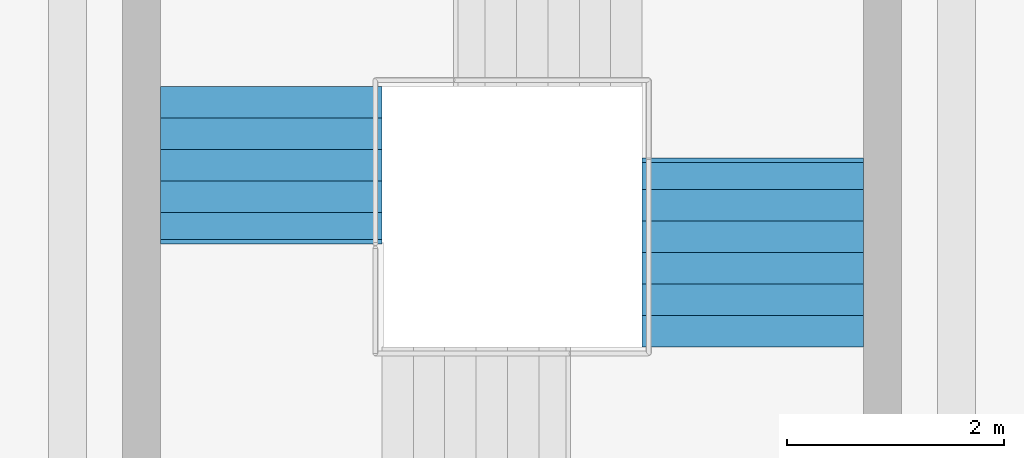
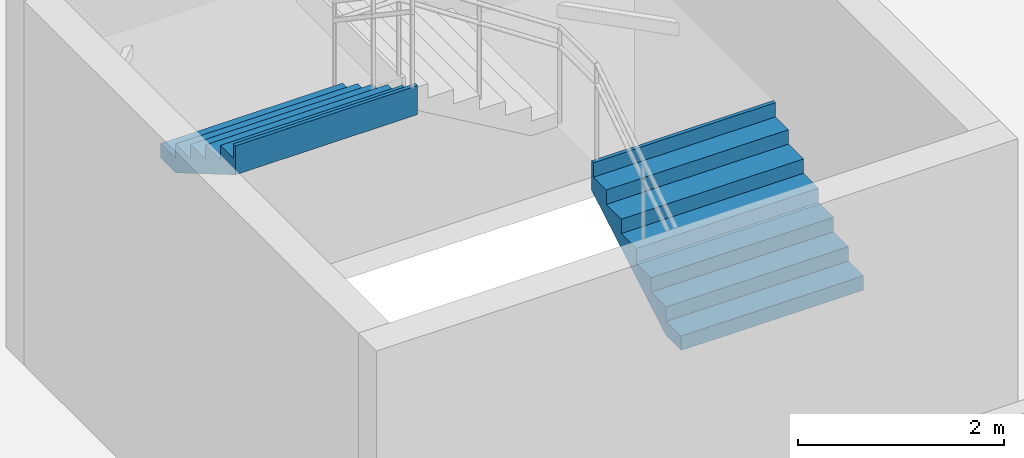
# One storey, part 51 of 55: 2 stair flights, 1 element without a shape of its own.
"""IFC4 building model written with IfcOpenShell, lengths in metres."""

from ifc_helpers import new_model, si_unit, direction, frame, origin, place, context, subcontext, project, spatial, triangles, material, type_object, element, aggregate, save


model = new_model("IFC4")

# Units and contexts
model_context = context("Model", 3, precision=1e-05, world=origin(), true_north=direction((0.0, 1.0)))
body_context = subcontext(model_context, "Body", "Model", "MODEL_VIEW")
ifc_project = project(units=[si_unit("LENGTHUNIT", "METRE"), si_unit("AREAUNIT", "SQUARE_METRE"), si_unit("VOLUMEUNIT", "CUBIC_METRE"), si_unit("PLANEANGLEUNIT", "RADIAN"), si_unit("MASSUNIT", "GRAM", prefix="KILO")], contexts=[model_context])

# Site, building, storey
site_placement = place(None, origin())
site = spatial("IfcSite", under=ifc_project, at=site_placement, CompositionType="ELEMENT")
building_placement = place(site_placement, origin())
building = spatial("IfcBuilding", under=site, at=building_placement, Name="Sillaruma Civic Art Gallery", CompositionType="ELEMENT")
storey_placement = place(building_placement, frame((0.0, 0.0, 37.739990234375)))
storey = spatial("IfcBuildingStorey", under=building, at=storey_placement, Name="L07", CompositionType="ELEMENT", Elevation=37.739990234375)

# Stair, stair flights
ifc_material = material(Name="Concrete H35 (35 MPa)", Category="concrete")
stair_type = type_object("IfcStairType", Name="STR-4F-27", PredefinedType="USERDEFINED", material=ifc_material)
stair_placement = place(storey_placement, origin())
stair = element("IfcStair", 1, at=stair_placement, inside=storey, type_object=stair_type, Name="Protected Exit Stair ST-04 (East Bar) (L07)", ObjectType="THREE_RETURN_STAIR", PredefinedType="USERDEFINED")
stair_flight_type_1 = type_object("IfcStairFlightType", Name="SFL-STR-6", PredefinedType="STRAIGHT", material=ifc_material)
stair_flight_1_placement = place(storey_placement, frame((99.8798828125, 55.64990234375, 3.570068359375), z_axis=(0.0, 0.0, 1.0), x_axis=(0.0, -1.0, 0.0)))
stair_flight_1 = element("IfcStairFlight", 2, at=stair_flight_1_placement, type_object=stair_flight_type_1, Name="ST-04 flight 4", NumberOfRisers=6, NumberOfTreads=5, PredefinedType="STRAIGHT", RiserHeight=0.17, TreadLength=0.29, context=body_context, shape_type="Tessellation", body=[
    triangles([(0.0, -1.02001953125, 0.0), (0.29, -1.02001953125, 0.0), (0.296365, -1.02001953125, 0.0), (0.58, -1.02001953125, 0.166269), (0.87, -1.02001953125, 0.336269), (1.16, -1.02001953125, 0.506269), (1.409951, -1.02001953125, 0.652792), (1.449951, -1.02001953125, 0.67624), (1.449951, -1.02001953125, 1.02), (1.409951, -1.02001953125, 1.02), (1.409951, -1.02001953125, 0.85), (1.16, -1.02001953125, 0.85), (1.16, -1.02001953125, 0.68), (0.87, -1.02001953125, 0.68), (0.87, -1.02001953125, 0.51), (0.58, -1.02001953125, 0.51), (0.58, -1.02001953125, 0.34), (0.296365, -1.02001953125, 0.34), (0.29, -1.02001953125, 0.34), (0.29, -1.02001953125, 0.17), (0.0, -1.02001953125, 0.17), (0.0, -0.05, 0.0), (0.29, -0.05, 0.0), (0.296365, -0.05, 0.0), (0.58, -0.05, 0.166269), (0.87, -0.05, 0.336269), (1.16, -0.05, 0.506269), (1.409951, -0.05, 0.652792), (1.449951, -0.05, 0.67624), (1.449951, -0.05, 1.02), (1.409951, -0.05, 1.02), (1.409951, -0.05, 0.85), (1.16, -0.05, 0.85), (1.16, -0.05, 0.68), (0.87, -0.05, 0.68), (0.87, -0.05, 0.51), (0.58, -0.05, 0.51), (0.58, -0.05, 0.34), (0.296365, -0.05, 0.34), (0.29, -0.05, 0.34), (0.29, -0.05, 0.17), (0.0, -0.05, 0.17), (0.0, -0.0375, 0.0), (0.29, -0.0375, 0.0), (0.296365, -0.0375, 0.0), (0.58, -0.0375, 0.166269), (0.87, -0.0375, 0.336269), (1.16, -0.0375, 0.506269), (1.409951, -0.0375, 0.652792), (1.449951, -0.0375, 0.67624), (1.449951, -0.0375, 1.02), (1.409951, -0.0375, 1.02), (1.409951, -0.0375, 0.85), (1.16, -0.0375, 0.85), (1.16, -0.0375, 0.68), (0.87, -0.0375, 0.68), (0.87, -0.0375, 0.51), (0.58, -0.0375, 0.51), (0.58, -0.0375, 0.34), (0.296365, -0.0375, 0.34), (0.29, -0.0375, 0.34), (0.29, -0.0375, 0.17), (0.0, -0.0375, 0.17), (0.0, -0.025, 0.0), (0.29, -0.025, 0.0), (0.296365, -0.025, 0.0), (0.58, -0.025, 0.166269), (0.87, -0.025, 0.336269), (1.16, -0.025, 0.506269), (1.409951, -0.025, 0.652792), (1.449951, -0.025, 0.67624), (1.449951, -0.025, 1.02), (1.409951, -0.025, 1.02), (1.409951, -0.025, 0.85), (1.16, -0.025, 0.85), (1.16, -0.025, 0.68), (0.87, -0.025, 0.68), (0.87, -0.025, 0.51), (0.58, -0.025, 0.51), (0.58, -0.025, 0.34), (0.296365, -0.025, 0.34), (0.29, -0.025, 0.34), (0.29, -0.025, 0.17), (0.0, -0.025, 0.17), (0.0, -0.0125, 0.0), (0.29, -0.0125, 0.0), (0.296365, -0.0125, 0.0), (0.58, -0.0125, 0.166269), (0.87, -0.0125, 0.336269), (1.16, -0.0125, 0.506269), (1.409951, -0.0125, 0.652792), (1.449951, -0.0125, 0.67624), (1.449951, -0.0125, 1.02), (1.409951, -0.0125, 1.02), (1.409951, -0.0125, 0.85), (1.16, -0.0125, 0.85), (1.16, -0.0125, 0.68), (0.87, -0.0125, 0.68), (0.87, -0.0125, 0.51), (0.58, -0.0125, 0.51), (0.58, -0.0125, 0.34), (0.296365, -0.0125, 0.34), (0.29, -0.0125, 0.34), (0.29, -0.0125, 0.17), (0.0, -0.0125, 0.17), (0.0, 0.0, 0.0), (0.29, 0.0, 0.0), (0.296365, 0.0, 0.0), (0.58, 0.0, 0.166269), (0.87, 0.0, 0.336269), (1.16, 0.0, 0.506269), (1.409951, 0.0, 0.652792), (1.449951, 0.0, 0.67624), (1.449951, 0.0, 1.02), (1.409951, 0.0, 1.02), (1.409951, 0.0, 0.85), (1.16, 0.0, 0.85), (1.16, 0.0, 0.68), (0.87, 0.0, 0.68), (0.87, 0.0, 0.51), (0.58, 0.0, 0.51), (0.58, 0.0, 0.34), (0.296365, 0.0, 0.34), (0.29, 0.0, 0.34), (0.29, 0.0, 0.17), (0.0, 0.0, 0.17), (0.0, 0.0125, 0.0), (0.29, 0.0125, 0.0), (0.296365, 0.0125, 0.0), (0.58, 0.0125, 0.166269), (0.87, 0.0125, 0.336269), (1.16, 0.0125, 0.506269), (1.409951, 0.0125, 0.652792), (1.449951, 0.0125, 0.67624), (1.449951, 0.0125, 1.02), (1.409951, 0.0125, 1.02), (1.409951, 0.0125, 0.85), (1.16, 0.0125, 0.85), (1.16, 0.0125, 0.68), (0.87, 0.0125, 0.68), (0.87, 0.0125, 0.51), (0.58, 0.0125, 0.51), (0.58, 0.0125, 0.34), (0.296365, 0.0125, 0.34), (0.29, 0.0125, 0.34), (0.29, 0.0125, 0.17), (0.0, 0.0125, 0.17), (0.0, 0.025, 0.0), (0.29, 0.025, 0.0), (0.296365, 0.025, 0.0), (0.58, 0.025, 0.166269), (0.87, 0.025, 0.336269), (1.16, 0.025, 0.506269), (1.409951, 0.025, 0.652792), (1.449951, 0.025, 0.67624), (1.449951, 0.025, 1.02), (1.409951, 0.025, 1.02), (1.409951, 0.025, 0.85), (1.16, 0.025, 0.85), (1.16, 0.025, 0.68), (0.87, 0.025, 0.68), (0.87, 0.025, 0.51), (0.58, 0.025, 0.51), (0.58, 0.025, 0.34), (0.296365, 0.025, 0.34), (0.29, 0.025, 0.34), (0.29, 0.025, 0.17), (0.0, 0.025, 0.17), (0.0, 0.0375, 0.0), (0.29, 0.0375, 0.0), (0.296365, 0.0375, 0.0), (0.58, 0.0375, 0.166269), (0.87, 0.0375, 0.336269), (1.16, 0.0375, 0.506269), (1.409951, 0.0375, 0.652792), (1.449951, 0.0375, 0.67624), (1.449951, 0.0375, 1.02), (1.409951, 0.0375, 1.02), (1.409951, 0.0375, 0.85), (1.16, 0.0375, 0.85), (1.16, 0.0375, 0.68), (0.87, 0.0375, 0.68), (0.87, 0.0375, 0.51), (0.58, 0.0375, 0.51), (0.58, 0.0375, 0.34), (0.296365, 0.0375, 0.34), (0.29, 0.0375, 0.34), (0.29, 0.0375, 0.17), (0.0, 0.0375, 0.17), (0.0, 0.05, 0.0), (0.29, 0.05, 0.0), (0.296365, 0.05, 0.0), (0.58, 0.05, 0.166269), (0.87, 0.05, 0.336269), (1.16, 0.05, 0.506269), (1.409951, 0.05, 0.652792), (1.449951, 0.05, 0.67624), (1.449951, 0.05, 1.02), (1.409951, 0.05, 1.02), (1.409951, 0.05, 0.85), (1.16, 0.05, 0.85), (1.16, 0.05, 0.68), (0.87, 0.05, 0.68), (0.87, 0.05, 0.51), (0.58, 0.05, 0.51), (0.58, 0.05, 0.34), (0.296365, 0.05, 0.34), (0.29, 0.05, 0.34), (0.29, 0.05, 0.17), (0.0, 0.05, 0.17), (0.0, 1.02001953125, 0.0), (0.29, 1.02001953125, 0.0), (0.296365, 1.02001953125, 0.0), (0.58, 1.02001953125, 0.166269), (0.87, 1.02001953125, 0.336269), (1.16, 1.02001953125, 0.506269), (1.409951, 1.02001953125, 0.652792), (1.449951, 1.02001953125, 0.67624), (1.449951, 1.02001953125, 1.02), (1.409951, 1.02001953125, 1.02), (1.409951, 1.02001953125, 0.85), (1.16, 1.02001953125, 0.85), (1.16, 1.02001953125, 0.68), (0.87, 1.02001953125, 0.68), (0.87, 1.02001953125, 0.51), (0.58, 1.02001953125, 0.51), (0.58, 1.02001953125, 0.34), (0.296365, 1.02001953125, 0.34), (0.29, 1.02001953125, 0.34), (0.29, 1.02001953125, 0.17), (0.0, 1.02001953125, 0.17)], [[1, 2, 20], [1, 20, 21], [2, 3, 18], [2, 18, 20], [20, 18, 19], [3, 4, 17], [3, 17, 18], [4, 5, 15], [4, 15, 17], [17, 15, 16], [5, 6, 13], [5, 13, 15], [15, 13, 14], [6, 7, 11], [6, 11, 13], [13, 11, 12], [7, 8, 9], [7, 9, 11], [11, 9, 10], [230, 212, 211], [231, 230, 211], [228, 213, 212], [230, 228, 212], [229, 228, 230], [227, 214, 213], [228, 227, 213], [225, 215, 214], [227, 225, 214], [226, 225, 227], [223, 216, 215], [225, 223, 215], [224, 223, 225], [221, 217, 216], [223, 221, 216], [222, 221, 223], [219, 218, 217], [221, 219, 217], [220, 219, 221], [2, 1, 22], [2, 22, 23], [3, 2, 23], [3, 23, 24], [4, 3, 24], [4, 24, 25], [5, 4, 25], [5, 25, 26], [6, 5, 26], [6, 26, 27], [7, 6, 27], [7, 27, 28], [8, 7, 28], [8, 28, 29], [9, 8, 29], [9, 29, 30], [10, 9, 30], [10, 30, 31], [11, 10, 31], [11, 31, 32], [12, 11, 32], [12, 32, 33], [13, 12, 33], [13, 33, 34], [14, 13, 34], [14, 34, 35], [15, 14, 35], [15, 35, 36], [16, 15, 36], [16, 36, 37], [17, 16, 37], [17, 37, 38], [18, 17, 38], [18, 38, 39], [19, 18, 39], [19, 39, 40], [20, 19, 40], [20, 40, 41], [21, 20, 41], [21, 41, 42], [1, 21, 42], [1, 42, 22], [23, 22, 43], [23, 43, 44], [24, 23, 44], [24, 44, 45], [25, 24, 45], [25, 45, 46], [26, 25, 46], [26, 46, 47], [27, 26, 47], [27, 47, 48], [28, 27, 48], [28, 48, 49], [29, 28, 49], [29, 49, 50], [30, 29, 50], [30, 50, 51], [31, 30, 51], [31, 51, 52], [32, 31, 52], [32, 52, 53], [33, 32, 53], [33, 53, 54], [34, 33, 54], [34, 54, 55], [35, 34, 55], [35, 55, 56], [36, 35, 56], [36, 56, 57], [37, 36, 57], [37, 57, 58], [38, 37, 58], [38, 58, 59], [39, 38, 59], [39, 59, 60], [40, 39, 60], [40, 60, 61], [41, 40, 61], [41, 61, 62], [42, 41, 62], [42, 62, 63], [22, 42, 63], [22, 63, 43], [44, 43, 64], [44, 64, 65], [45, 44, 65], [45, 65, 66], [46, 45, 66], [46, 66, 67], [47, 46, 67], [47, 67, 68], [48, 47, 68], [48, 68, 69], [49, 48, 69], [49, 69, 70], [50, 49, 70], [50, 70, 71], [51, 50, 71], [51, 71, 72], [52, 51, 72], [52, 72, 73], [53, 52, 73], [53, 73, 74], [54, 53, 74], [54, 74, 75], [55, 54, 75], [55, 75, 76], [56, 55, 76], [56, 76, 77], [57, 56, 77], [57, 77, 78], [58, 57, 78], [58, 78, 79], [59, 58, 79], [59, 79, 80], [60, 59, 80], [60, 80, 81], [61, 60, 81], [61, 81, 82], [62, 61, 82], [62, 82, 83], [63, 62, 83], [63, 83, 84], [43, 63, 84], [43, 84, 64], [65, 64, 85], [65, 85, 86], [66, 65, 86], [66, 86, 87], [67, 66, 87], [67, 87, 88], [68, 67, 88], [68, 88, 89], [69, 68, 89], [69, 89, 90], [70, 69, 90], [70, 90, 91], [71, 70, 91], [71, 91, 92], [72, 71, 92], [72, 92, 93], [73, 72, 93], [73, 93, 94], [74, 73, 94], [74, 94, 95], [75, 74, 95], [75, 95, 96], [76, 75, 96], [76, 96, 97], [77, 76, 97], [77, 97, 98], [78, 77, 98], [78, 98, 99], [79, 78, 99], [79, 99, 100], [80, 79, 100], [80, 100, 101], [81, 80, 101], [81, 101, 102], [82, 81, 102], [82, 102, 103], [83, 82, 103], [83, 103, 104], [84, 83, 104], [84, 104, 105], [64, 84, 105], [64, 105, 85], [86, 85, 106], [86, 106, 107], [87, 86, 107], [87, 107, 108], [88, 87, 108], [88, 108, 109], [89, 88, 109], [89, 109, 110], [90, 89, 110], [90, 110, 111], [91, 90, 111], [91, 111, 112], [92, 91, 112], [92, 112, 113], [93, 92, 113], [93, 113, 114], [94, 93, 114], [94, 114, 115], [95, 94, 115], [95, 115, 116], [96, 95, 116], [96, 116, 117], [97, 96, 117], [97, 117, 118], [98, 97, 118], [98, 118, 119], [99, 98, 119], [99, 119, 120], [100, 99, 120], [100, 120, 121], [101, 100, 121], [101, 121, 122], [102, 101, 122], [102, 122, 123], [103, 102, 123], [103, 123, 124], [104, 103, 124], [104, 124, 125], [105, 104, 125], [105, 125, 126], [85, 105, 126], [85, 126, 106], [107, 106, 127], [107, 127, 128], [108, 107, 128], [108, 128, 129], [109, 108, 129], [109, 129, 130], [110, 109, 130], [110, 130, 131], [111, 110, 131], [111, 131, 132], [112, 111, 132], [112, 132, 133], [113, 112, 133], [113, 133, 134], [114, 113, 134], [114, 134, 135], [115, 114, 135], [115, 135, 136], [116, 115, 136], [116, 136, 137], [117, 116, 137], [117, 137, 138], [118, 117, 138], [118, 138, 139], [119, 118, 139], [119, 139, 140], [120, 119, 140], [120, 140, 141], [121, 120, 141], [121, 141, 142], [122, 121, 142], [122, 142, 143], [123, 122, 143], [123, 143, 144], [124, 123, 144], [124, 144, 145], [125, 124, 145], [125, 145, 146], [126, 125, 146], [126, 146, 147], [106, 126, 147], [106, 147, 127], [128, 127, 148], [128, 148, 149], [129, 128, 149], [129, 149, 150], [130, 129, 150], [130, 150, 151], [131, 130, 151], [131, 151, 152], [132, 131, 152], [132, 152, 153], [133, 132, 153], [133, 153, 154], [134, 133, 154], [134, 154, 155], [135, 134, 155], [135, 155, 156], [136, 135, 156], [136, 156, 157], [137, 136, 157], [137, 157, 158], [138, 137, 158], [138, 158, 159], [139, 138, 159], [139, 159, 160], [140, 139, 160], [140, 160, 161], [141, 140, 161], [141, 161, 162], [142, 141, 162], [142, 162, 163], [143, 142, 163], [143, 163, 164], [144, 143, 164], [144, 164, 165], [145, 144, 165], [145, 165, 166], [146, 145, 166], [146, 166, 167], [147, 146, 167], [147, 167, 168], [127, 147, 168], [127, 168, 148], [149, 148, 169], [149, 169, 170], [150, 149, 170], [150, 170, 171], [151, 150, 171], [151, 171, 172], [152, 151, 172], [152, 172, 173], [153, 152, 173], [153, 173, 174], [154, 153, 174], [154, 174, 175], [155, 154, 175], [155, 175, 176], [156, 155, 176], [156, 176, 177], [157, 156, 177], [157, 177, 178], [158, 157, 178], [158, 178, 179], [159, 158, 179], [159, 179, 180], [160, 159, 180], [160, 180, 181], [161, 160, 181], [161, 181, 182], [162, 161, 182], [162, 182, 183], [163, 162, 183], [163, 183, 184], [164, 163, 184], [164, 184, 185], [165, 164, 185], [165, 185, 186], [166, 165, 186], [166, 186, 187], [167, 166, 187], [167, 187, 188], [168, 167, 188], [168, 188, 189], [148, 168, 189], [148, 189, 169], [170, 169, 190], [170, 190, 191], [171, 170, 191], [171, 191, 192], [172, 171, 192], [172, 192, 193], [173, 172, 193], [173, 193, 194], [174, 173, 194], [174, 194, 195], [175, 174, 195], [175, 195, 196], [176, 175, 196], [176, 196, 197], [177, 176, 197], [177, 197, 198], [178, 177, 198], [178, 198, 199], [179, 178, 199], [179, 199, 200], [180, 179, 200], [180, 200, 201], [181, 180, 201], [181, 201, 202], [182, 181, 202], [182, 202, 203], [183, 182, 203], [183, 203, 204], [184, 183, 204], [184, 204, 205], [185, 184, 205], [185, 205, 206], [186, 185, 206], [186, 206, 207], [187, 186, 207], [187, 207, 208], [188, 187, 208], [188, 208, 209], [189, 188, 209], [189, 209, 210], [169, 189, 210], [169, 210, 190], [191, 190, 211], [191, 211, 212], [192, 191, 212], [192, 212, 213], [193, 192, 213], [193, 213, 214], [194, 193, 214], [194, 214, 215], [195, 194, 215], [195, 215, 216], [196, 195, 216], [196, 216, 217], [197, 196, 217], [197, 217, 218], [198, 197, 218], [198, 218, 219], [199, 198, 219], [199, 219, 220], [200, 199, 220], [200, 220, 221], [201, 200, 221], [201, 221, 222], [202, 201, 222], [202, 222, 223], [203, 202, 223], [203, 223, 224], [204, 203, 224], [204, 224, 225], [205, 204, 225], [205, 225, 226], [206, 205, 226], [206, 226, 227], [207, 206, 227], [207, 227, 228], [208, 207, 228], [208, 228, 229], [209, 208, 229], [209, 229, 230], [210, 209, 230], [210, 230, 231], [190, 210, 231], [190, 231, 211]], closed=True),
])
stair_flight_type_2 = type_object("IfcStairFlightType", Name="SFL-STR-7", PredefinedType="STRAIGHT", material=ifc_material)
stair_flight_2_placement = place(storey_placement, frame((104.320068359375, 53.25, 1.18994140625), z_axis=(0.0, 0.0, 1.0), x_axis=(0.0, 1.0, 0.0)))
stair_flight_2 = element("IfcStairFlight", 3, at=stair_flight_2_placement, type_object=stair_flight_type_2, Name="ST-04 flight 2", NumberOfRisers=7, NumberOfTreads=6, PredefinedType="STRAIGHT", RiserHeight=0.17, TreadLength=0.29, context=body_context, shape_type="Tessellation", body=[
    triangles([(0.0, -1.02001953125, 0.0), (0.29, -1.02001953125, 0.0), (0.296404, -1.02001953125, 0.0), (0.58, -1.02001953125, 0.166246), (0.87, -1.02001953125, 0.336246), (1.16, -1.02001953125, 0.506246), (1.45, -1.02001953125, 0.676246), (1.69999, -1.02001953125, 0.822792), (1.73999, -1.02001953125, 0.84624), (1.73999, -1.02001953125, 1.19), (1.69999, -1.02001953125, 1.19), (1.69999, -1.02001953125, 1.02), (1.45, -1.02001953125, 1.02), (1.45, -1.02001953125, 0.85), (1.16, -1.02001953125, 0.85), (1.16, -1.02001953125, 0.68), (0.87, -1.02001953125, 0.68), (0.87, -1.02001953125, 0.51), (0.58, -1.02001953125, 0.51), (0.58, -1.02001953125, 0.34), (0.296404, -1.02001953125, 0.34), (0.29, -1.02001953125, 0.34), (0.29, -1.02001953125, 0.17), (0.0, -1.02001953125, 0.17), (0.0, -0.05, 0.0), (0.29, -0.05, 0.0), (0.296404, -0.05, 0.0), (0.58, -0.05, 0.166246), (0.87, -0.05, 0.336246), (1.16, -0.05, 0.506246), (1.45, -0.05, 0.676246), (1.69999, -0.05, 0.822792), (1.73999, -0.05, 0.84624), (1.73999, -0.05, 1.19), (1.69999, -0.05, 1.19), (1.69999, -0.05, 1.02), (1.45, -0.05, 1.02), (1.45, -0.05, 0.85), (1.16, -0.05, 0.85), (1.16, -0.05, 0.68), (0.87, -0.05, 0.68), (0.87, -0.05, 0.51), (0.58, -0.05, 0.51), (0.58, -0.05, 0.34), (0.296404, -0.05, 0.34), (0.29, -0.05, 0.34), (0.29, -0.05, 0.17), (0.0, -0.05, 0.17), (0.0, -0.0375, 0.0), (0.29, -0.0375, 0.0), (0.296404, -0.0375, 0.0), (0.58, -0.0375, 0.166246), (0.87, -0.0375, 0.336246), (1.16, -0.0375, 0.506246), (1.45, -0.0375, 0.676246), (1.69999, -0.0375, 0.822792), (1.73999, -0.0375, 0.84624), (1.73999, -0.0375, 1.19), (1.69999, -0.0375, 1.19), (1.69999, -0.0375, 1.02), (1.45, -0.0375, 1.02), (1.45, -0.0375, 0.85), (1.16, -0.0375, 0.85), (1.16, -0.0375, 0.68), (0.87, -0.0375, 0.68), (0.87, -0.0375, 0.51), (0.58, -0.0375, 0.51), (0.58, -0.0375, 0.34), (0.296404, -0.0375, 0.34), (0.29, -0.0375, 0.34), (0.29, -0.0375, 0.17), (0.0, -0.0375, 0.17), (0.0, -0.025, 0.0), (0.29, -0.025, 0.0), (0.296404, -0.025, 0.0), (0.58, -0.025, 0.166246), (0.87, -0.025, 0.336246), (1.16, -0.025, 0.506246), (1.45, -0.025, 0.676246), (1.69999, -0.025, 0.822792), (1.73999, -0.025, 0.84624), (1.73999, -0.025, 1.19), (1.69999, -0.025, 1.19), (1.69999, -0.025, 1.02), (1.45, -0.025, 1.02), (1.45, -0.025, 0.85), (1.16, -0.025, 0.85), (1.16, -0.025, 0.68), (0.87, -0.025, 0.68), (0.87, -0.025, 0.51), (0.58, -0.025, 0.51), (0.58, -0.025, 0.34), (0.296404, -0.025, 0.34), (0.29, -0.025, 0.34), (0.29, -0.025, 0.17), (0.0, -0.025, 0.17), (0.0, -0.0125, 0.0), (0.29, -0.0125, 0.0), (0.296404, -0.0125, 0.0), (0.58, -0.0125, 0.166246), (0.87, -0.0125, 0.336246), (1.16, -0.0125, 0.506246), (1.45, -0.0125, 0.676246), (1.69999, -0.0125, 0.822792), (1.73999, -0.0125, 0.84624), (1.73999, -0.0125, 1.19), (1.69999, -0.0125, 1.19), (1.69999, -0.0125, 1.02), (1.45, -0.0125, 1.02), (1.45, -0.0125, 0.85), (1.16, -0.0125, 0.85), (1.16, -0.0125, 0.68), (0.87, -0.0125, 0.68), (0.87, -0.0125, 0.51), (0.58, -0.0125, 0.51), (0.58, -0.0125, 0.34), (0.296404, -0.0125, 0.34), (0.29, -0.0125, 0.34), (0.29, -0.0125, 0.17), (0.0, -0.0125, 0.17), (0.0, 0.0, 0.0), (0.29, 0.0, 0.0), (0.296404, 0.0, 0.0), (0.58, 0.0, 0.166246), (0.87, 0.0, 0.336246), (1.16, 0.0, 0.506246), (1.45, 0.0, 0.676246), (1.69999, 0.0, 0.822792), (1.73999, 0.0, 0.84624), (1.73999, 0.0, 1.19), (1.69999, 0.0, 1.19), (1.69999, 0.0, 1.02), (1.45, 0.0, 1.02), (1.45, 0.0, 0.85), (1.16, 0.0, 0.85), (1.16, 0.0, 0.68), (0.87, 0.0, 0.68), (0.87, 0.0, 0.51), (0.58, 0.0, 0.51), (0.58, 0.0, 0.34), (0.296404, 0.0, 0.34), (0.29, 0.0, 0.34), (0.29, 0.0, 0.17), (0.0, 0.0, 0.17), (0.0, 0.0125, 0.0), (0.29, 0.0125, 0.0), (0.296404, 0.0125, 0.0), (0.58, 0.0125, 0.166246), (0.87, 0.0125, 0.336246), (1.16, 0.0125, 0.506246), (1.45, 0.0125, 0.676246), (1.69999, 0.0125, 0.822792), (1.73999, 0.0125, 0.84624), (1.73999, 0.0125, 1.19), (1.69999, 0.0125, 1.19), (1.69999, 0.0125, 1.02), (1.45, 0.0125, 1.02), (1.45, 0.0125, 0.85), (1.16, 0.0125, 0.85), (1.16, 0.0125, 0.68), (0.87, 0.0125, 0.68), (0.87, 0.0125, 0.51), (0.58, 0.0125, 0.51), (0.58, 0.0125, 0.34), (0.296404, 0.0125, 0.34), (0.29, 0.0125, 0.34), (0.29, 0.0125, 0.17), (0.0, 0.0125, 0.17), (0.0, 0.025, 0.0), (0.29, 0.025, 0.0), (0.296404, 0.025, 0.0), (0.58, 0.025, 0.166246), (0.87, 0.025, 0.336246), (1.16, 0.025, 0.506246), (1.45, 0.025, 0.676246), (1.69999, 0.025, 0.822792), (1.73999, 0.025, 0.84624), (1.73999, 0.025, 1.19), (1.69999, 0.025, 1.19), (1.69999, 0.025, 1.02), (1.45, 0.025, 1.02), (1.45, 0.025, 0.85), (1.16, 0.025, 0.85), (1.16, 0.025, 0.68), (0.87, 0.025, 0.68), (0.87, 0.025, 0.51), (0.58, 0.025, 0.51), (0.58, 0.025, 0.34), (0.296404, 0.025, 0.34), (0.29, 0.025, 0.34), (0.29, 0.025, 0.17), (0.0, 0.025, 0.17), (0.0, 0.0375, 0.0), (0.29, 0.0375, 0.0), (0.296404, 0.0375, 0.0), (0.58, 0.0375, 0.166246), (0.87, 0.0375, 0.336246), (1.16, 0.0375, 0.506246), (1.45, 0.0375, 0.676246), (1.69999, 0.0375, 0.822792), (1.73999, 0.0375, 0.84624), (1.73999, 0.0375, 1.19), (1.69999, 0.0375, 1.19), (1.69999, 0.0375, 1.02), (1.45, 0.0375, 1.02), (1.45, 0.0375, 0.85), (1.16, 0.0375, 0.85), (1.16, 0.0375, 0.68), (0.87, 0.0375, 0.68), (0.87, 0.0375, 0.51), (0.58, 0.0375, 0.51), (0.58, 0.0375, 0.34), (0.296404, 0.0375, 0.34), (0.29, 0.0375, 0.34), (0.29, 0.0375, 0.17), (0.0, 0.0375, 0.17), (0.0, 0.05, 0.0), (0.29, 0.05, 0.0), (0.296404, 0.05, 0.0), (0.58, 0.05, 0.166246), (0.87, 0.05, 0.336246), (1.16, 0.05, 0.506246), (1.45, 0.05, 0.676246), (1.69999, 0.05, 0.822792), (1.73999, 0.05, 0.84624), (1.73999, 0.05, 1.19), (1.69999, 0.05, 1.19), (1.69999, 0.05, 1.02), (1.45, 0.05, 1.02), (1.45, 0.05, 0.85), (1.16, 0.05, 0.85), (1.16, 0.05, 0.68), (0.87, 0.05, 0.68), (0.87, 0.05, 0.51), (0.58, 0.05, 0.51), (0.58, 0.05, 0.34), (0.296404, 0.05, 0.34), (0.29, 0.05, 0.34), (0.29, 0.05, 0.17), (0.0, 0.05, 0.17), (0.0, 1.02001953125, 0.0), (0.29, 1.02001953125, 0.0), (0.296404, 1.02001953125, 0.0), (0.58, 1.02001953125, 0.166246), (0.87, 1.02001953125, 0.336246), (1.16, 1.02001953125, 0.506246), (1.45, 1.02001953125, 0.676246), (1.69999, 1.02001953125, 0.822792), (1.73999, 1.02001953125, 0.84624), (1.73999, 1.02001953125, 1.19), (1.69999, 1.02001953125, 1.19), (1.69999, 1.02001953125, 1.02), (1.45, 1.02001953125, 1.02), (1.45, 1.02001953125, 0.85), (1.16, 1.02001953125, 0.85), (1.16, 1.02001953125, 0.68), (0.87, 1.02001953125, 0.68), (0.87, 1.02001953125, 0.51), (0.58, 1.02001953125, 0.51), (0.58, 1.02001953125, 0.34), (0.296404, 1.02001953125, 0.34), (0.29, 1.02001953125, 0.34), (0.29, 1.02001953125, 0.17), (0.0, 1.02001953125, 0.17)], [[1, 2, 23], [1, 23, 24], [2, 3, 21], [2, 21, 23], [23, 21, 22], [3, 4, 20], [3, 20, 21], [4, 5, 18], [4, 18, 20], [20, 18, 19], [5, 6, 16], [5, 16, 18], [18, 16, 17], [6, 7, 14], [6, 14, 16], [16, 14, 15], [7, 8, 12], [7, 12, 14], [14, 12, 13], [8, 9, 10], [8, 10, 12], [12, 10, 11], [263, 242, 241], [264, 263, 241], [261, 243, 242], [263, 261, 242], [262, 261, 263], [260, 244, 243], [261, 260, 243], [258, 245, 244], [260, 258, 244], [259, 258, 260], [256, 246, 245], [258, 256, 245], [257, 256, 258], [254, 247, 246], [256, 254, 246], [255, 254, 256], [252, 248, 247], [254, 252, 247], [253, 252, 254], [250, 249, 248], [252, 250, 248], [251, 250, 252], [2, 1, 25], [2, 25, 26], [3, 2, 26], [3, 26, 27], [4, 3, 27], [4, 27, 28], [5, 4, 28], [5, 28, 29], [6, 5, 29], [6, 29, 30], [7, 6, 30], [7, 30, 31], [8, 7, 31], [8, 31, 32], [9, 8, 32], [9, 32, 33], [10, 9, 33], [10, 33, 34], [11, 10, 34], [11, 34, 35], [12, 11, 35], [12, 35, 36], [13, 12, 36], [13, 36, 37], [14, 13, 37], [14, 37, 38], [15, 14, 38], [15, 38, 39], [16, 15, 39], [16, 39, 40], [17, 16, 40], [17, 40, 41], [18, 17, 41], [18, 41, 42], [19, 18, 42], [19, 42, 43], [20, 19, 43], [20, 43, 44], [21, 20, 44], [21, 44, 45], [22, 21, 45], [22, 45, 46], [23, 22, 46], [23, 46, 47], [24, 23, 47], [24, 47, 48], [1, 24, 48], [1, 48, 25], [26, 25, 49], [26, 49, 50], [27, 26, 50], [27, 50, 51], [28, 27, 51], [28, 51, 52], [29, 28, 52], [29, 52, 53], [30, 29, 53], [30, 53, 54], [31, 30, 54], [31, 54, 55], [32, 31, 55], [32, 55, 56], [33, 32, 56], [33, 56, 57], [34, 33, 57], [34, 57, 58], [35, 34, 58], [35, 58, 59], [36, 35, 59], [36, 59, 60], [37, 36, 60], [37, 60, 61], [38, 37, 61], [38, 61, 62], [39, 38, 62], [39, 62, 63], [40, 39, 63], [40, 63, 64], [41, 40, 64], [41, 64, 65], [42, 41, 65], [42, 65, 66], [43, 42, 66], [43, 66, 67], [44, 43, 67], [44, 67, 68], [45, 44, 68], [45, 68, 69], [46, 45, 69], [46, 69, 70], [47, 46, 70], [47, 70, 71], [48, 47, 71], [48, 71, 72], [25, 48, 72], [25, 72, 49], [50, 49, 73], [50, 73, 74], [51, 50, 74], [51, 74, 75], [52, 51, 75], [52, 75, 76], [53, 52, 76], [53, 76, 77], [54, 53, 77], [54, 77, 78], [55, 54, 78], [55, 78, 79], [56, 55, 79], [56, 79, 80], [57, 56, 80], [57, 80, 81], [58, 57, 81], [58, 81, 82], [59, 58, 82], [59, 82, 83], [60, 59, 83], [60, 83, 84], [61, 60, 84], [61, 84, 85], [62, 61, 85], [62, 85, 86], [63, 62, 86], [63, 86, 87], [64, 63, 87], [64, 87, 88], [65, 64, 88], [65, 88, 89], [66, 65, 89], [66, 89, 90], [67, 66, 90], [67, 90, 91], [68, 67, 91], [68, 91, 92], [69, 68, 92], [69, 92, 93], [70, 69, 93], [70, 93, 94], [71, 70, 94], [71, 94, 95], [72, 71, 95], [72, 95, 96], [49, 72, 96], [49, 96, 73], [74, 73, 97], [74, 97, 98], [75, 74, 98], [75, 98, 99], [76, 75, 99], [76, 99, 100], [77, 76, 100], [77, 100, 101], [78, 77, 101], [78, 101, 102], [79, 78, 102], [79, 102, 103], [80, 79, 103], [80, 103, 104], [81, 80, 104], [81, 104, 105], [82, 81, 105], [82, 105, 106], [83, 82, 106], [83, 106, 107], [84, 83, 107], [84, 107, 108], [85, 84, 108], [85, 108, 109], [86, 85, 109], [86, 109, 110], [87, 86, 110], [87, 110, 111], [88, 87, 111], [88, 111, 112], [89, 88, 112], [89, 112, 113], [90, 89, 113], [90, 113, 114], [91, 90, 114], [91, 114, 115], [92, 91, 115], [92, 115, 116], [93, 92, 116], [93, 116, 117], [94, 93, 117], [94, 117, 118], [95, 94, 118], [95, 118, 119], [96, 95, 119], [96, 119, 120], [73, 96, 120], [73, 120, 97], [98, 97, 121], [98, 121, 122], [99, 98, 122], [99, 122, 123], [100, 99, 123], [100, 123, 124], [101, 100, 124], [101, 124, 125], [102, 101, 125], [102, 125, 126], [103, 102, 126], [103, 126, 127], [104, 103, 127], [104, 127, 128], [105, 104, 128], [105, 128, 129], [106, 105, 129], [106, 129, 130], [107, 106, 130], [107, 130, 131], [108, 107, 131], [108, 131, 132], [109, 108, 132], [109, 132, 133], [110, 109, 133], [110, 133, 134], [111, 110, 134], [111, 134, 135], [112, 111, 135], [112, 135, 136], [113, 112, 136], [113, 136, 137], [114, 113, 137], [114, 137, 138], [115, 114, 138], [115, 138, 139], [116, 115, 139], [116, 139, 140], [117, 116, 140], [117, 140, 141], [118, 117, 141], [118, 141, 142], [119, 118, 142], [119, 142, 143], [120, 119, 143], [120, 143, 144], [97, 120, 144], [97, 144, 121], [122, 121, 145], [122, 145, 146], [123, 122, 146], [123, 146, 147], [124, 123, 147], [124, 147, 148], [125, 124, 148], [125, 148, 149], [126, 125, 149], [126, 149, 150], [127, 126, 150], [127, 150, 151], [128, 127, 151], [128, 151, 152], [129, 128, 152], [129, 152, 153], [130, 129, 153], [130, 153, 154], [131, 130, 154], [131, 154, 155], [132, 131, 155], [132, 155, 156], [133, 132, 156], [133, 156, 157], [134, 133, 157], [134, 157, 158], [135, 134, 158], [135, 158, 159], [136, 135, 159], [136, 159, 160], [137, 136, 160], [137, 160, 161], [138, 137, 161], [138, 161, 162], [139, 138, 162], [139, 162, 163], [140, 139, 163], [140, 163, 164], [141, 140, 164], [141, 164, 165], [142, 141, 165], [142, 165, 166], [143, 142, 166], [143, 166, 167], [144, 143, 167], [144, 167, 168], [121, 144, 168], [121, 168, 145], [146, 145, 169], [146, 169, 170], [147, 146, 170], [147, 170, 171], [148, 147, 171], [148, 171, 172], [149, 148, 172], [149, 172, 173], [150, 149, 173], [150, 173, 174], [151, 150, 174], [151, 174, 175], [152, 151, 175], [152, 175, 176], [153, 152, 176], [153, 176, 177], [154, 153, 177], [154, 177, 178], [155, 154, 178], [155, 178, 179], [156, 155, 179], [156, 179, 180], [157, 156, 180], [157, 180, 181], [158, 157, 181], [158, 181, 182], [159, 158, 182], [159, 182, 183], [160, 159, 183], [160, 183, 184], [161, 160, 184], [161, 184, 185], [162, 161, 185], [162, 185, 186], [163, 162, 186], [163, 186, 187], [164, 163, 187], [164, 187, 188], [165, 164, 188], [165, 188, 189], [166, 165, 189], [166, 189, 190], [167, 166, 190], [167, 190, 191], [168, 167, 191], [168, 191, 192], [145, 168, 192], [145, 192, 169], [170, 169, 193], [170, 193, 194], [171, 170, 194], [171, 194, 195], [172, 171, 195], [172, 195, 196], [173, 172, 196], [173, 196, 197], [174, 173, 197], [174, 197, 198], [175, 174, 198], [175, 198, 199], [176, 175, 199], [176, 199, 200], [177, 176, 200], [177, 200, 201], [178, 177, 201], [178, 201, 202], [179, 178, 202], [179, 202, 203], [180, 179, 203], [180, 203, 204], [181, 180, 204], [181, 204, 205], [182, 181, 205], [182, 205, 206], [183, 182, 206], [183, 206, 207], [184, 183, 207], [184, 207, 208], [185, 184, 208], [185, 208, 209], [186, 185, 209], [186, 209, 210], [187, 186, 210], [187, 210, 211], [188, 187, 211], [188, 211, 212], [189, 188, 212], [189, 212, 213], [190, 189, 213], [190, 213, 214], [191, 190, 214], [191, 214, 215], [192, 191, 215], [192, 215, 216], [169, 192, 216], [169, 216, 193], [194, 193, 217], [194, 217, 218], [195, 194, 218], [195, 218, 219], [196, 195, 219], [196, 219, 220], [197, 196, 220], [197, 220, 221], [198, 197, 221], [198, 221, 222], [199, 198, 222], [199, 222, 223], [200, 199, 223], [200, 223, 224], [201, 200, 224], [201, 224, 225], [202, 201, 225], [202, 225, 226], [203, 202, 226], [203, 226, 227], [204, 203, 227], [204, 227, 228], [205, 204, 228], [205, 228, 229], [206, 205, 229], [206, 229, 230], [207, 206, 230], [207, 230, 231], [208, 207, 231], [208, 231, 232], [209, 208, 232], [209, 232, 233], [210, 209, 233], [210, 233, 234], [211, 210, 234], [211, 234, 235], [212, 211, 235], [212, 235, 236], [213, 212, 236], [213, 236, 237], [214, 213, 237], [214, 237, 238], [215, 214, 238], [215, 238, 239], [216, 215, 239], [216, 239, 240], [193, 216, 240], [193, 240, 217], [218, 217, 241], [218, 241, 242], [219, 218, 242], [219, 242, 243], [220, 219, 243], [220, 243, 244], [221, 220, 244], [221, 244, 245], [222, 221, 245], [222, 245, 246], [223, 222, 246], [223, 246, 247], [224, 223, 247], [224, 247, 248], [225, 224, 248], [225, 248, 249], [226, 225, 249], [226, 249, 250], [227, 226, 250], [227, 250, 251], [228, 227, 251], [228, 251, 252], [229, 228, 252], [229, 252, 253], [230, 229, 253], [230, 253, 254], [231, 230, 254], [231, 254, 255], [232, 231, 255], [232, 255, 256], [233, 232, 256], [233, 256, 257], [234, 233, 257], [234, 257, 258], [235, 234, 258], [235, 258, 259], [236, 235, 259], [236, 259, 260], [237, 236, 260], [237, 260, 261], [238, 237, 261], [238, 261, 262], [239, 238, 262], [239, 262, 263], [240, 239, 263], [240, 263, 264], [217, 240, 264], [217, 264, 241]], closed=True),
])
aggregate(stair, [stair_flight_2, stair_flight_1])

save(model, "model.ifc")
